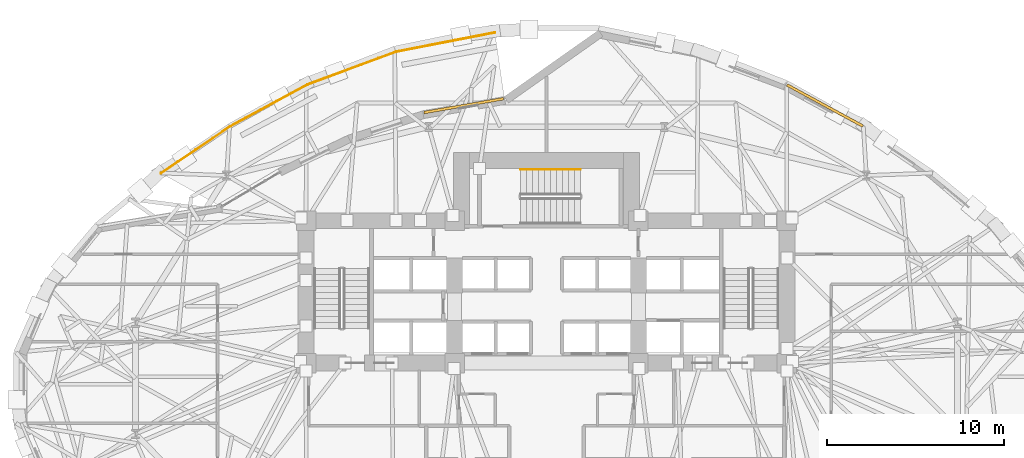
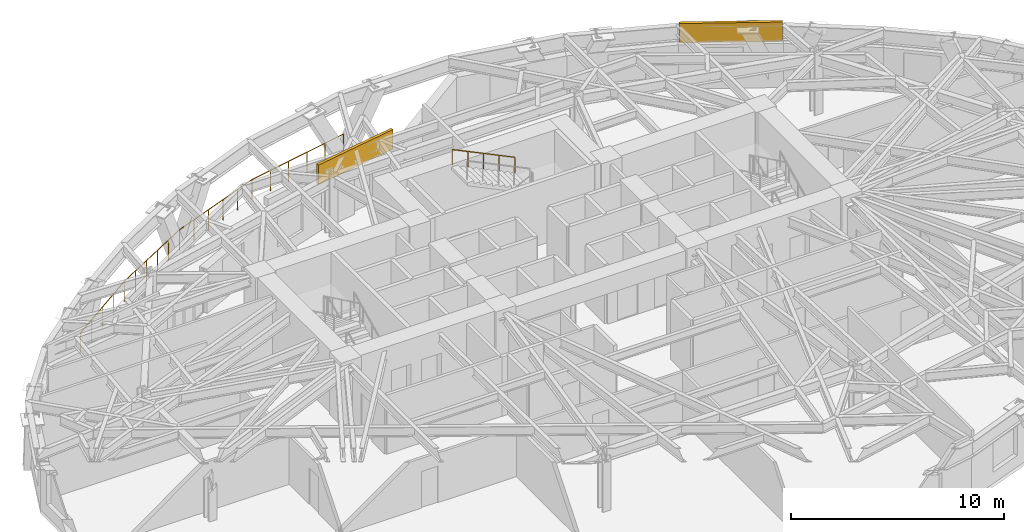
# One storey, part 17 of 17: 2 coverings, 2 railings.
"""IFC4 building model written with IfcOpenShell, lengths in metres."""

from ifc_helpers import new_model, si_unit, direction, frame, origin, origin_2d, place, context, subcontext, project, spatial, rectangle, circle, extrude, material, layer, layer_set, type_object, element, save


model = new_model("IFC4")

# Units and contexts
model_context = context("Model", 3, precision=1e-05, world=origin(), true_north=direction((0.0, 1.0)))
body_context = subcontext(model_context, "Body", "Model", "MODEL_VIEW")
ifc_project = project(units=[si_unit("LENGTHUNIT", "METRE"), si_unit("AREAUNIT", "SQUARE_METRE"), si_unit("VOLUMEUNIT", "CUBIC_METRE"), si_unit("PLANEANGLEUNIT", "RADIAN"), si_unit("MASSUNIT", "GRAM", prefix="KILO")], contexts=[model_context])

# Site, building, storey
site_placement = place(None, origin())
site = spatial("IfcSite", under=ifc_project, at=site_placement, CompositionType="ELEMENT")
building_placement = place(site_placement, origin())
building = spatial("IfcBuilding", under=site, at=building_placement, Name="Keldmark Tower", CompositionType="ELEMENT")
storey_placement = place(building_placement, frame((0.0, 0.0, 70.199951171875)))
storey = spatial("IfcBuildingStorey", under=building, at=storey_placement, Name="L18", CompositionType="ELEMENT", Elevation=70.199951171875)

# Railing
ifc_material_1 = material(Name="DuPont SentryGlas Laminated Glass and Stainless Posts", Category="glass")
railing_type_1 = type_object("IfcRailingType", Name="Heated Laminated Glass Wind-Baffle Guard 1200 mm", PredefinedType="GUARDRAIL", material=ifc_material_1)
railing_1_placement = place(storey_placement, frame((-2.91845703125, 20.09228515625, 0.0)))
element("IfcRailing", 1, at=railing_1_placement, inside=storey, type_object=railing_type_1, Name="L18 Terrace Laminated Glass Wind-Baffle Guard TERR 01", PredefinedType="GUARDRAIL", context=body_context, shape_type="SweptSolid", body=[
    extrude(circle(Radius=0.02392578125, at=origin_2d()), frame((0.0, 0.0, 1.17578125), z_axis=(-0.981646867497, -0.190707701821, 0.0), x_axis=(0.190707701821, -0.981646867497, 0.0)), (0.0, 0.0, 1.0), 5.689208984375),
    extrude(circle(Radius=0.02392578125, at=origin_2d()), frame((-5.584716796875, -1.0849609375, 1.17578125), z_axis=(-0.937837924665, -0.347073518234, 0.0), x_axis=(0.347073518234, -0.937837924665, 0.0)), (0.0, 0.0, 1.0), 5.348876953125),
    extrude(circle(Radius=0.02392578125, at=origin_2d()), frame((-10.60107421875, -2.94140625, 1.17578125), z_axis=(-0.879338226178, -0.47619773622, 0.0), x_axis=(0.47619773622, -0.879338226178, 0.0)), (0.0, 0.0, 1.0), 4.97265625),
    extrude(circle(Radius=0.02392578125, at=origin_2d()), frame((-14.9736328125, -5.309326171875, 1.17578125), z_axis=(-0.828770845013, -0.559588140025, 0.0), x_axis=(0.559588140025, -0.828770845013, 0.0)), (0.0, 0.0, 1.0), 4.72802734375),
    extrude(circle(Radius=0.02099609375, at=origin_2d()), origin(), (0.0, 0.0, 1.0), 1.15185546875),
    extrude(circle(Radius=0.02099609375, at=origin_2d()), frame((-1.116943359375, -0.217041015625, 0.0)), (0.0, 0.0, 1.0), 1.15185546875),
    extrude(circle(Radius=0.02099609375, at=origin_2d()), frame((-2.23388671875, -0.43408203125, 0.0)), (0.0, 0.0, 1.0), 1.15185546875),
    extrude(circle(Radius=0.02099609375, at=origin_2d()), frame((-3.350830078125, -0.65087890625, 0.0)), (0.0, 0.0, 1.0), 1.15185546875),
    extrude(circle(Radius=0.02099609375, at=origin_2d()), frame((-4.4677734375, -0.867919921875, 0.0)), (0.0, 0.0, 1.0), 1.15185546875),
    extrude(circle(Radius=0.02099609375, at=origin_2d()), frame((-5.584716796875, -1.0849609375, 0.0)), (0.0, 0.0, 1.0), 1.15185546875),
    extrude(circle(Radius=0.02099609375, at=origin_2d()), frame((-6.587890625, -1.456298828125, 0.0)), (0.0, 0.0, 1.0), 1.15185546875),
    extrude(circle(Radius=0.02099609375, at=origin_2d()), frame((-7.59130859375, -1.82763671875, 0.0)), (0.0, 0.0, 1.0), 1.15185546875),
    extrude(circle(Radius=0.02099609375, at=origin_2d()), frame((-8.594482421875, -2.19873046875, 0.0)), (0.0, 0.0, 1.0), 1.15185546875),
    extrude(circle(Radius=0.02099609375, at=origin_2d()), frame((-9.597900390625, -2.570068359375, 0.0)), (0.0, 0.0, 1.0), 1.15185546875),
    extrude(circle(Radius=0.02099609375, at=origin_2d()), frame((-10.60107421875, -2.94140625, 0.0)), (0.0, 0.0, 1.0), 1.15185546875),
    extrude(circle(Radius=0.02099609375, at=origin_2d()), frame((-11.4755859375, -3.4150390625, 0.0)), (0.0, 0.0, 1.0), 1.15185546875),
    extrude(circle(Radius=0.02099609375, at=origin_2d()), frame((-12.35009765625, -3.888671875, 0.0)), (0.0, 0.0, 1.0), 1.15185546875),
    extrude(circle(Radius=0.02099609375, at=origin_2d()), frame((-13.224609375, -4.362060546875, 0.0)), (0.0, 0.0, 1.0), 1.15185546875),
    extrude(circle(Radius=0.02099609375, at=origin_2d()), frame((-14.09912109375, -4.835693359375, 0.0)), (0.0, 0.0, 1.0), 1.15185546875),
    extrude(circle(Radius=0.02099609375, at=origin_2d()), frame((-14.9736328125, -5.309326171875, 0.0)), (0.0, 0.0, 1.0), 1.15185546875),
    extrude(circle(Radius=0.02099609375, at=origin_2d()), frame((-15.953125, -5.970703125, 0.0)), (0.0, 0.0, 1.0), 1.15185546875),
    extrude(circle(Radius=0.02099609375, at=origin_2d()), frame((-16.932861328125, -6.63232421875, 0.0)), (0.0, 0.0, 1.0), 1.15185546875),
    extrude(circle(Radius=0.02099609375, at=origin_2d()), frame((-17.91259765625, -7.293701171875, 0.0)), (0.0, 0.0, 1.0), 1.15185546875),
    extrude(circle(Radius=0.02099609375, at=origin_2d()), frame((-18.89208984375, -7.955078125, 0.0)), (0.0, 0.0, 1.0), 1.15185546875),
])

# Coverings
ifc_material_2 = material(Name="Honed Kasota Buff Dolomitic Limestone", Category="masonry")
ifc_layer = layer(ifc_material_2, 0.074951171875)
ifc_layer_set = layer_set([ifc_layer], Name="Honed Kasota Buff Dolomitic Limestone")
covering_type = type_object("IfcCoveringType", Name="Kasota Buff Limestone Spandrel Cladding Band", PredefinedType="CLADDING", material=ifc_layer_set)
covering_1_placement = place(storey_placement, frame((15.75048828125, 15.9697265625, 2.453125), z_axis=(0.0, 0.0, 1.0), x_axis=(-0.878558816309, 0.477634176212, 0.0)))
element("IfcCovering", 2, at=covering_1_placement, inside=storey, type_object=covering_type, Name="L18 Kasota Limestone Spandrel Band 05", PredefinedType="CLADDING", context=body_context, shape_type="SweptSolid", body=[
    extrude(rectangle(XDim=4.880859375, YDim=0.14990234375, at=origin_2d()), origin(), (0.0, 0.0, 1.0), 1.126953125),
])
covering_2_placement = place(storey_placement, frame((-4.681640625, 15.960205078125, 2.453125), z_axis=(0.0, 0.0, 1.0), x_axis=(-0.985175269569, -0.171550832787, 0.0)))
element("IfcCovering", 3, at=covering_2_placement, inside=storey, type_object=covering_type, Name="L18 Kasota Limestone Spandrel Band 09", PredefinedType="CLADDING", context=body_context, shape_type="SweptSolid", body=[
    extrude(rectangle(XDim=4.565673828125, YDim=0.14990234375, at=origin_2d()), origin(), (0.0, 0.0, 1.0), 1.126953125),
])

# Railing
ifc_material_3 = material(Name="Stainless Steel AISI 316L", Category="steel")
railing_type_2 = type_object("IfcRailingType", Name="Stainless Steel Stair Handrail 900 mm", PredefinedType="HANDRAIL", material=ifc_material_3)
railing_2_placement = place(storey_placement, frame((1.925048828125, 12.35009765625, 1.963623046875)))
element("IfcRailing", 4, at=railing_2_placement, inside=storey, type_object=railing_type_2, Name="L18 ST3 stair handrail 2", PredefinedType="HANDRAIL", context=body_context, shape_type="SweptSolid", body=[
    extrude(circle(Radius=0.02392578125, at=origin_2d()), frame((0.0, 0.0, 0.8759765625), z_axis=(-0.901067223353, 0.0, 0.433679442675), x_axis=(0.0, -1.0, 0.0)), (0.0, 0.0, 1.0), 3.7734375),
    extrude(circle(Radius=0.02099609375, at=origin_2d()), origin(), (0.0, 0.0, 1.0), 0.851806640625),
    extrude(circle(Radius=0.02099609375, at=origin_2d()), frame((-0.85009765625, 0.0, 0.4091796875)), (0.0, 0.0, 1.0), 0.851806640625),
    extrude(circle(Radius=0.02099609375, at=origin_2d()), frame((-1.7001953125, 0.0, 0.818359375)), (0.0, 0.0, 1.0), 0.851806640625),
    extrude(circle(Radius=0.02099609375, at=origin_2d()), frame((-2.550048828125, 0.0, 1.227294921875)), (0.0, 0.0, 1.0), 0.851806640625),
    extrude(circle(Radius=0.02099609375, at=origin_2d()), frame((-3.400146484375, 0.0, 1.636474609375)), (0.0, 0.0, 1.0), 0.851806640625),
])

save(model, "model.ifc")
